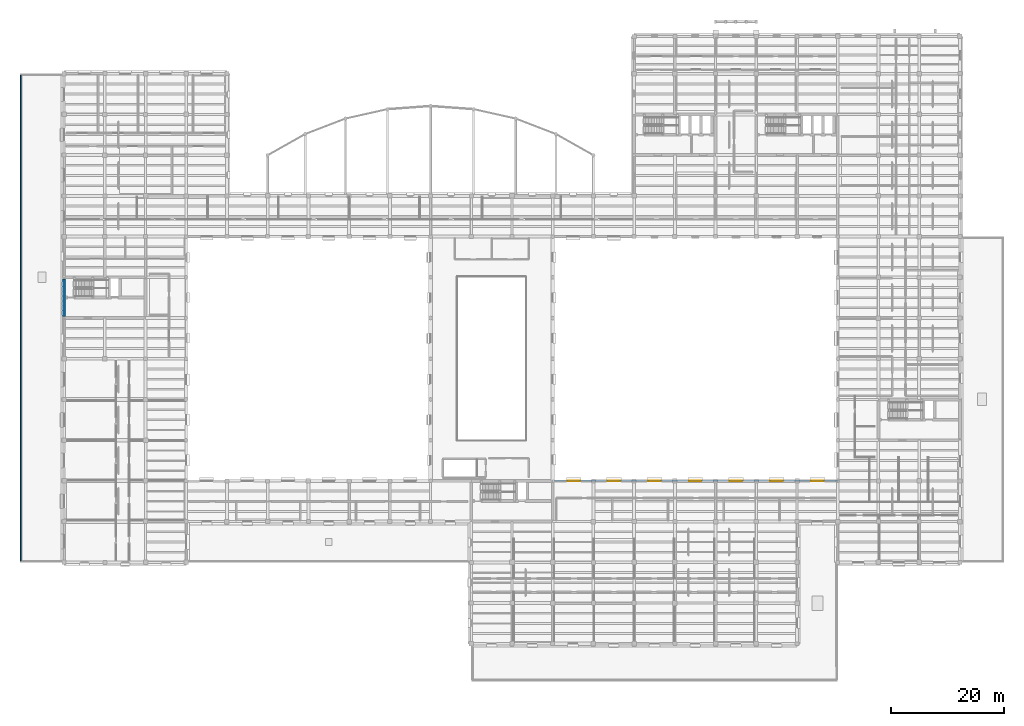
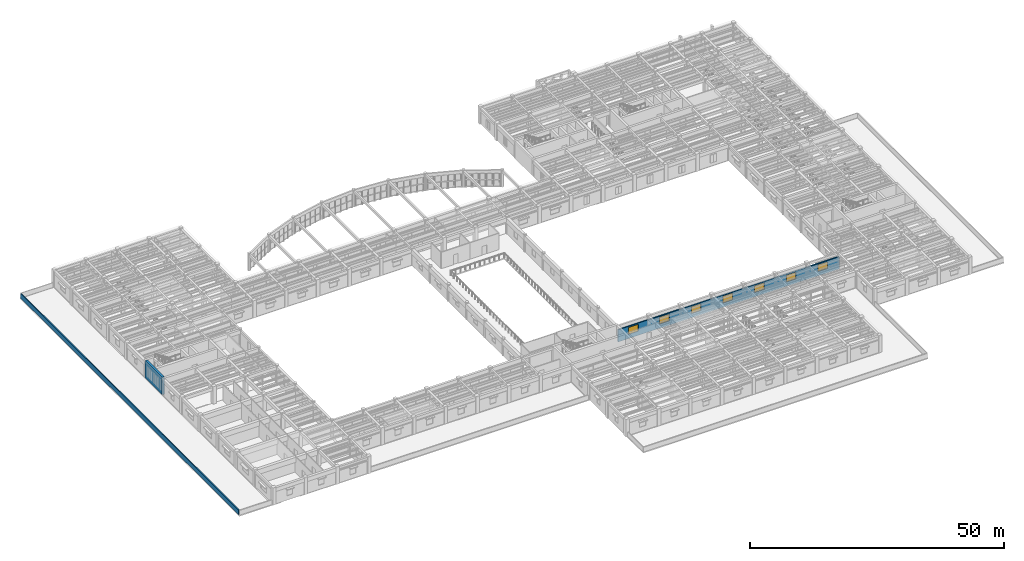
# One storey, part 53 of 76: 7 windows, 3 walls, 7 openings.
"""IFC4 building model written with IfcOpenShell, lengths in metres."""

from ifc_helpers import new_model, si_unit, direction, frame, frame_2d, origin, place, context, subcontext, project, spatial, rectangle, extrude, material, layer, layer_set, type_object, element, fill, save


model = new_model("IFC4")

# Units and contexts
model_context = context("Model", 3, precision=1e-05, world=origin(), true_north=direction((0.0, 1.0)))
body_context = subcontext(model_context, "Body", "Model", "MODEL_VIEW")
ifc_project = project(units=[si_unit("LENGTHUNIT", "METRE"), si_unit("AREAUNIT", "SQUARE_METRE"), si_unit("VOLUMEUNIT", "CUBIC_METRE"), si_unit("PLANEANGLEUNIT", "RADIAN"), si_unit("MASSUNIT", "GRAM", prefix="KILO")], contexts=[model_context])

# Site, building, storey
site_placement = place(None, origin())
site = spatial("IfcSite", under=ifc_project, at=site_placement, CompositionType="ELEMENT")
building_placement = place(site_placement, origin())
building = spatial("IfcBuilding", under=site, at=building_placement, Name="Mithqara Police Headquarters", CompositionType="ELEMENT")
storey_placement = place(building_placement, frame((0.0, 0.0, 5.39990234375)))
storey = spatial("IfcBuildingStorey", under=building, at=storey_placement, Name="L01", CompositionType="ELEMENT", Elevation=5.39990234375)

# Wall, openings, windows
ifc_material_1 = material(Name="Ochre masonry cavity wall, 35 MPa", Category="masonry")
ifc_layer_1 = layer(ifc_material_1, 0.300048828125, Name="Ochre masonry cavity wall, 35 MPa")
ifc_layer_set_1 = layer_set([ifc_layer_1], Name="Ochre masonry cavity wall, 35 MPa")
wall_type_1 = type_object("IfcWallType", Name="EXT WALL OCHRE BRICK300", PredefinedType="SOLIDWALL", material=ifc_layer_set_1)
wall_1_placement = place(storey_placement, frame((144.75, 35.39990234375, 0.0), z_axis=(0.0, 0.0, 1.0), x_axis=(-1.0, 0.0, 0.0)))
wall_1 = element("IfcWall", 1, at=wall_1_placement, inside=storey, type_object=wall_type_1, Name="L01 Exterior Wall 5.1", PredefinedType="SOLIDWALL", context=body_context, shape_type="SweptSolid", body=[
    extrude(rectangle(XDim=50.300048828125, YDim=0.300048828125, at=frame_2d((25.14990234375, 0.0))), origin(), (0.0, 0.0, 1.0), 2.920166015625),
])
opening_1_placement = place(wall_1_placement, frame((45.72509765625, 0.0, 1.0)))
opening_1 = element("IfcOpeningElement", 2, at=opening_1_placement, cuts=wall_1, Name="Opening W-42", PredefinedType="OPENING", context=body_context, shape_type="SweptSolid", body=[
    extrude(rectangle(XDim=2.199951171875, YDim=1.64990234375, at=frame_2d((1.10009765625, 0.824951171875))), frame((0.0, 0.16015625, 0.0), z_axis=(0.0, -1.0, 0.0), x_axis=(1.0, 0.0, 0.0)), (0.0, 0.0, 1.0), 0.320068359375),
])
opening_2_placement = place(wall_1_placement, frame((38.64990234375, 0.0, 1.0)))
opening_2 = element("IfcOpeningElement", 3, at=opening_2_placement, cuts=wall_1, Name="Opening W-42", PredefinedType="OPENING", context=body_context, shape_type="SweptSolid", body=[
    extrude(rectangle(XDim=2.199951171875, YDim=1.64990234375, at=frame_2d((1.10009765625, 0.824951171875))), frame((0.0, 0.16015625, 0.0), z_axis=(0.0, -1.0, 0.0), x_axis=(1.0, 0.0, 0.0)), (0.0, 0.0, 1.0), 0.320068359375),
])
opening_3_placement = place(wall_1_placement, frame((31.449951171875, 0.0, 1.0)))
opening_3 = element("IfcOpeningElement", 4, at=opening_3_placement, cuts=wall_1, Name="Opening W-42", PredefinedType="OPENING", context=body_context, shape_type="SweptSolid", body=[
    extrude(rectangle(XDim=2.199951171875, YDim=1.64990234375, at=frame_2d((1.10009765625, 0.824951171875))), frame((0.0, 0.16015625, 0.0), z_axis=(0.0, -1.0, 0.0), x_axis=(1.0, 0.0, 0.0)), (0.0, 0.0, 1.0), 0.320068359375),
])
opening_4_placement = place(wall_1_placement, frame((24.25, 0.0, 1.0)))
opening_4 = element("IfcOpeningElement", 5, at=opening_4_placement, cuts=wall_1, Name="Opening W-42", PredefinedType="OPENING", context=body_context, shape_type="SweptSolid", body=[
    extrude(rectangle(XDim=2.199951171875, YDim=1.64990234375, at=frame_2d((1.10009765625, 0.824951171875))), frame((0.0, 0.16015625, 0.0), z_axis=(0.0, -1.0, 0.0), x_axis=(1.0, 0.0, 0.0)), (0.0, 0.0, 1.0), 0.320068359375),
])
opening_5_placement = place(wall_1_placement, frame((17.050048828125, 0.0, 1.0)))
opening_5 = element("IfcOpeningElement", 6, at=opening_5_placement, cuts=wall_1, Name="Opening W-42", PredefinedType="OPENING", context=body_context, shape_type="SweptSolid", body=[
    extrude(rectangle(XDim=2.199951171875, YDim=1.64990234375, at=frame_2d((1.10009765625, 0.824951171875))), frame((0.0, 0.16015625, 0.0), z_axis=(0.0, -1.0, 0.0), x_axis=(1.0, 0.0, 0.0)), (0.0, 0.0, 1.0), 0.320068359375),
])
opening_6_placement = place(wall_1_placement, frame((9.85009765625, 0.0, 1.0)))
opening_6 = element("IfcOpeningElement", 7, at=opening_6_placement, cuts=wall_1, Name="Opening W-42", PredefinedType="OPENING", context=body_context, shape_type="SweptSolid", body=[
    extrude(rectangle(XDim=2.199951171875, YDim=1.64990234375, at=frame_2d((1.10009765625, 0.824951171875))), frame((0.0, 0.16015625, 0.0), z_axis=(0.0, -1.0, 0.0), x_axis=(1.0, 0.0, 0.0)), (0.0, 0.0, 1.0), 0.320068359375),
])
opening_7_placement = place(wall_1_placement, frame((2.64990234375, 0.0, 1.0)))
opening_7 = element("IfcOpeningElement", 8, at=opening_7_placement, cuts=wall_1, Name="Opening W-42", PredefinedType="OPENING", context=body_context, shape_type="SweptSolid", body=[
    extrude(rectangle(XDim=2.199951171875, YDim=1.64990234375, at=frame_2d((1.10009765625, 0.824951171875))), frame((0.0, 0.16015625, 0.0), z_axis=(0.0, -1.0, 0.0), x_axis=(1.0, 0.0, 0.0)), (0.0, 0.0, 1.0), 0.320068359375),
])
ifc_material_2 = material(Name="Spectrally selective double low-e glass", Category="glass")
window_type = type_object("IfcWindowType", Name="WINDOW 2200X1650", PartitioningType="DOUBLE_PANEL_VERTICAL", PredefinedType="WINDOW", material=ifc_material_2)
window_1_placement = place(opening_1_placement, origin())
window_1 = element("IfcWindow", 9, at=window_1_placement, inside=storey, type_object=window_type, Name="L01 Deep-Set Punched Window 5.1", OverallHeight=1.64990234375, OverallWidth=2.199951171875, PartitioningType="SINGLE_PANEL", PredefinedType="WINDOW", context=body_context, shape_type="SweptSolid", body=[
    extrude(rectangle(XDim=2.199951171875, YDim=1.64990234375, at=frame_2d((1.10009765625, 0.824951171875))), frame((0.0, 0.030029296875, 0.0), z_axis=(0.0, -1.0, 0.0), x_axis=(1.0, 0.0, 0.0)), (0.0, 0.0, 1.0), 0.06005859375),
])
fill(opening_1, window_1)
window_2_placement = place(opening_2_placement, origin())
window_2 = element("IfcWindow", 10, at=window_2_placement, inside=storey, type_object=window_type, Name="L01 Deep-Set Punched Window 5.2", OverallHeight=1.64990234375, OverallWidth=2.199951171875, PartitioningType="SINGLE_PANEL", PredefinedType="WINDOW", context=body_context, shape_type="SweptSolid", body=[
    extrude(rectangle(XDim=2.199951171875, YDim=1.64990234375, at=frame_2d((1.10009765625, 0.824951171875))), frame((0.0, 0.030029296875, 0.0), z_axis=(0.0, -1.0, 0.0), x_axis=(1.0, 0.0, 0.0)), (0.0, 0.0, 1.0), 0.06005859375),
])
fill(opening_2, window_2)
window_3_placement = place(opening_3_placement, origin())
window_3 = element("IfcWindow", 11, at=window_3_placement, inside=storey, type_object=window_type, Name="L01 Deep-Set Punched Window 5.3", OverallHeight=1.64990234375, OverallWidth=2.199951171875, PartitioningType="SINGLE_PANEL", PredefinedType="WINDOW", context=body_context, shape_type="SweptSolid", body=[
    extrude(rectangle(XDim=2.199951171875, YDim=1.64990234375, at=frame_2d((1.10009765625, 0.824951171875))), frame((0.0, 0.030029296875, 0.0), z_axis=(0.0, -1.0, 0.0), x_axis=(1.0, 0.0, 0.0)), (0.0, 0.0, 1.0), 0.06005859375),
])
fill(opening_3, window_3)
window_4_placement = place(opening_4_placement, origin())
window_4 = element("IfcWindow", 12, at=window_4_placement, inside=storey, type_object=window_type, Name="L01 Deep-Set Punched Window 5.4", OverallHeight=1.64990234375, OverallWidth=2.199951171875, PartitioningType="SINGLE_PANEL", PredefinedType="WINDOW", context=body_context, shape_type="SweptSolid", body=[
    extrude(rectangle(XDim=2.199951171875, YDim=1.64990234375, at=frame_2d((1.10009765625, 0.824951171875))), frame((0.0, 0.030029296875, 0.0), z_axis=(0.0, -1.0, 0.0), x_axis=(1.0, 0.0, 0.0)), (0.0, 0.0, 1.0), 0.06005859375),
])
fill(opening_4, window_4)
window_5_placement = place(opening_5_placement, origin())
window_5 = element("IfcWindow", 13, at=window_5_placement, inside=storey, type_object=window_type, Name="L01 Deep-Set Punched Window 5.5", OverallHeight=1.64990234375, OverallWidth=2.199951171875, PartitioningType="SINGLE_PANEL", PredefinedType="WINDOW", context=body_context, shape_type="SweptSolid", body=[
    extrude(rectangle(XDim=2.199951171875, YDim=1.64990234375, at=frame_2d((1.10009765625, 0.824951171875))), frame((0.0, 0.030029296875, 0.0), z_axis=(0.0, -1.0, 0.0), x_axis=(1.0, 0.0, 0.0)), (0.0, 0.0, 1.0), 0.06005859375),
])
fill(opening_5, window_5)
window_6_placement = place(opening_6_placement, origin())
window_6 = element("IfcWindow", 14, at=window_6_placement, inside=storey, type_object=window_type, Name="L01 Deep-Set Punched Window 5.6", OverallHeight=1.64990234375, OverallWidth=2.199951171875, PartitioningType="SINGLE_PANEL", PredefinedType="WINDOW", context=body_context, shape_type="SweptSolid", body=[
    extrude(rectangle(XDim=2.199951171875, YDim=1.64990234375, at=frame_2d((1.10009765625, 0.824951171875))), frame((0.0, 0.030029296875, 0.0), z_axis=(0.0, -1.0, 0.0), x_axis=(1.0, 0.0, 0.0)), (0.0, 0.0, 1.0), 0.06005859375),
])
fill(opening_6, window_6)
window_7_placement = place(opening_7_placement, origin())
window_7 = element("IfcWindow", 15, at=window_7_placement, inside=storey, type_object=window_type, Name="L01 Deep-Set Punched Window 5.7", OverallHeight=1.64990234375, OverallWidth=2.199951171875, PartitioningType="SINGLE_PANEL", PredefinedType="WINDOW", context=body_context, shape_type="SweptSolid", body=[
    extrude(rectangle(XDim=2.199951171875, YDim=1.64990234375, at=frame_2d((1.10009765625, 0.824951171875))), frame((0.0, 0.030029296875, 0.0), z_axis=(0.0, -1.0, 0.0), x_axis=(1.0, 0.0, 0.0)), (0.0, 0.0, 1.0), 0.06005859375),
])
fill(opening_7, window_7)

# Walls
ifc_material_3 = material(Name="Limestone ashlar masonry, 45 MPa", Category="masonry")
ifc_layer_2 = layer(ifc_material_3, 0.219970703125, Name="Limestone ashlar masonry, 45 MPa")
ifc_layer_set_2 = layer_set([ifc_layer_2], Name="Limestone ashlar masonry, 45 MPa")
wall_type_2 = type_object("IfcWallType", Name="PARAPET WALL 220", PredefinedType="PARAPET", material=ifc_layer_set_2)
wall_2_placement = place(storey_placement, frame((0.110107421875, 21.22998046875, 0.0), z_axis=(0.0, 0.0, 1.0), x_axis=(0.0, 1.0, 0.0)))
element("IfcWall", 16, at=wall_2_placement, inside=storey, type_object=wall_type_2, Name="L01 Limestone Roof Parapet ROOF-L00-01-1", PredefinedType="PARAPET", context=body_context, shape_type="SweptSolid", body=[
    extrude(rectangle(XDim=85.93994140625, YDim=0.219970703125, at=frame_2d((42.969970703125, 0.0))), origin(), (0.0, 0.0, 1.0), 1.1201171875),
])
ifc_material_4 = material(Name="Concrete C50/60", Category="concrete")
ifc_layer_3 = layer(ifc_material_4, 0.5, Name="Concrete C50/60")
ifc_layer_set_3 = layer_set([ifc_layer_3], Name="Concrete C50/60")
wall_type_3 = type_object("IfcWallType", Name="SHEAR WALL 500", PredefinedType="SHEAR", material=ifc_layer_set_3)
wall_3_placement = place(storey_placement, frame((7.800048828125, 64.4599609375, 0.0), z_axis=(0.0, 0.0, 1.0), x_axis=(0.0, 1.0, 0.0)))
element("IfcWall", 17, at=wall_3_placement, inside=storey, type_object=wall_type_3, Name="Core C3 Operations West Shear Wall W", PredefinedType="SHEAR", context=body_context, shape_type="SweptSolid", body=[
    extrude(rectangle(XDim=6.679931640625, YDim=0.5, at=frame_2d((3.33984375, 0.0))), origin(), (0.0, 0.0, 1.0), 4.2001953125),
])

save(model, "model.ifc")
